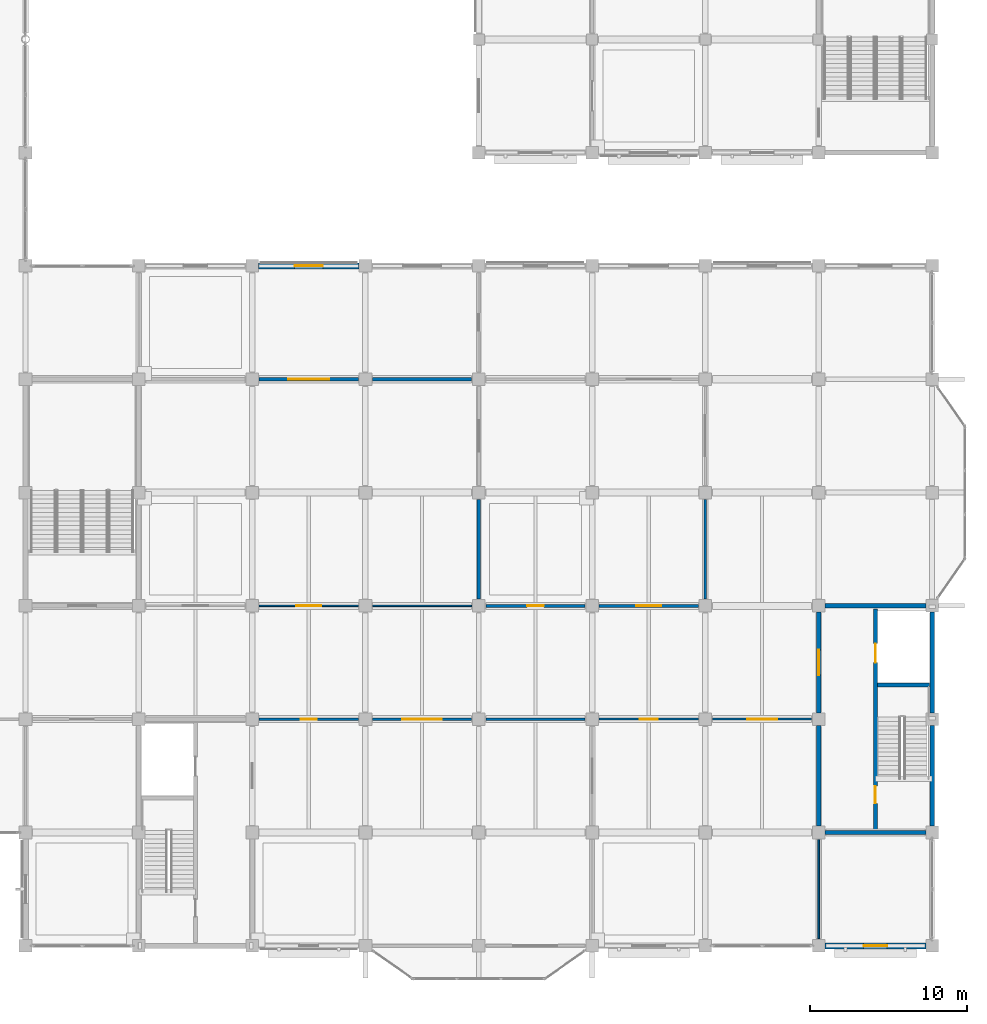
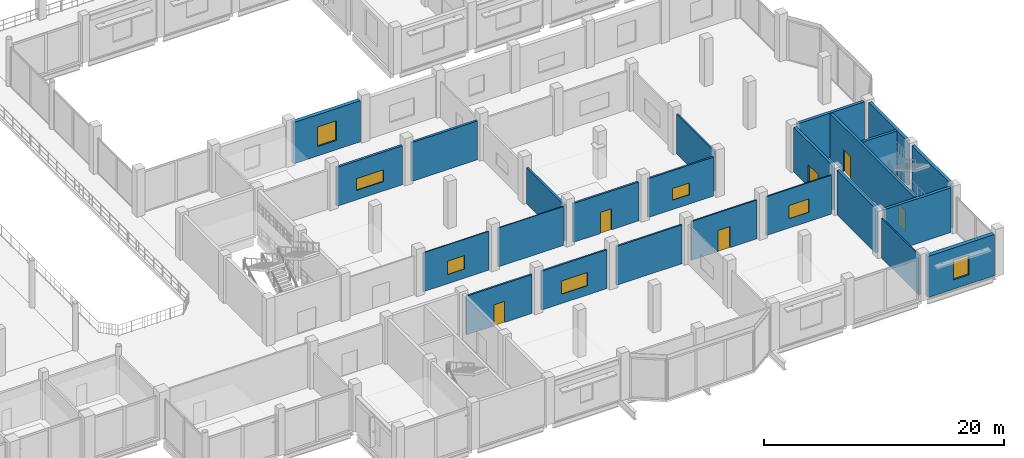
# One storey, part 69 of 99: 24 walls, 7 windows, 6 doors, 13 openings.
"""IFC4 building model written with IfcOpenShell, lengths in metres."""

from ifc_helpers import new_model, si_unit, direction, frame, frame_2d, origin, place, context, subcontext, project, spatial, rectangle, extrude, material, layer, layer_set, type_object, element, fill, save


model = new_model("IFC4")

# Units and contexts
model_context = context("Model", 3, precision=1e-05, world=origin(), true_north=direction((0.0, 1.0)))
body_context = subcontext(model_context, "Body", "Model", "MODEL_VIEW")
ifc_project = project(units=[si_unit("LENGTHUNIT", "METRE"), si_unit("AREAUNIT", "SQUARE_METRE"), si_unit("VOLUMEUNIT", "CUBIC_METRE"), si_unit("PLANEANGLEUNIT", "RADIAN"), si_unit("MASSUNIT", "GRAM", prefix="KILO")], contexts=[model_context])

# Site, building, storey
site_placement = place(None, origin())
site = spatial("IfcSite", under=ifc_project, at=site_placement, CompositionType="ELEMENT")
building_placement = place(site_placement, origin())
building = spatial("IfcBuilding", under=site, at=building_placement, Name="Vesperath Aquatics Centre", CompositionType="ELEMENT")
storey_placement = place(building_placement, frame((0.0, 0.0, 5.39990234375)))
storey = spatial("IfcBuildingStorey", under=building, at=storey_placement, Name="L01", CompositionType="ELEMENT", Elevation=5.39990234375)

# Wall, opening, window
ifc_material_1 = material(Name="Red-terracotta brick insulated cavity wall", Category="masonry")
ifc_layer_1 = layer(ifc_material_1, 0.3798828125)
ifc_layer_set_1 = layer_set([ifc_layer_1], Name="Red-terracotta brick insulated cavity wall")
wall_type_1 = type_object("IfcWallType", Name="WL-EW02", PredefinedType="SOLIDWALL", material=ifc_layer_set_1)
wall_1_placement = place(storey_placement, frame((166.0, 0.0, 0.0), z_axis=(0.0, 0.0, 1.0), x_axis=(1.0, 0.0, 0.0)))
wall_1 = element("IfcWall", 1, at=wall_1_placement, inside=storey, type_object=wall_type_1, Name="Exterior Wall EW02 L01_S_23_00", PredefinedType="SOLIDWALL", context=body_context, shape_type="SweptSolid", body=[
    extrude(rectangle(XDim=6.39990234375, YDim=0.3798828125, at=frame_2d((3.199951171875, 0.0))), origin(), (0.0, 0.0, 1.0), 4.190185546875),
])
opening_1_placement = place(wall_1_placement, frame((2.449951171875, 0.0, 0.949951171875)))
opening_1 = element("IfcOpeningElement", 2, at=opening_1_placement, cuts=wall_1, Name="Opening W08", PredefinedType="OPENING", context=body_context, shape_type="SweptSolid", body=[
    extrude(rectangle(XDim=1.5, YDim=2.0, at=frame_2d((0.75, 1.0))), frame((0.0, 0.204833984375, 0.0), z_axis=(0.0, -1.0, 0.0), x_axis=(1.0, 0.0, 0.0)), (0.0, 0.0, 1.0), 0.40966796875),
])
ifc_material_2 = material(Name="Thermally broken aluminium triple-glazed window", Category="aluminium")
window_type_1 = type_object("IfcWindowType", Name="WN-W08", PartitioningType="SINGLE_PANEL", PredefinedType="WINDOW", material=ifc_material_2)
window_1_placement = place(opening_1_placement, origin())
window_1 = element("IfcWindow", 3, at=window_1_placement, inside=storey, type_object=window_type_1, Name="Deep-Reveal Casement Window W08 L01_S_23_00", OverallHeight=2.0, OverallWidth=1.5, PartitioningType="SINGLE_PANEL", PredefinedType="WINDOW", context=body_context, shape_type="SweptSolid", body=[
    extrude(rectangle(XDim=1.5, YDim=2.0, at=frame_2d((0.75, 1.0))), frame((0.0, 0.030029296875, 0.0), z_axis=(0.0, -1.0, 0.0), x_axis=(1.0, 0.0, 0.0)), (0.0, 0.0, 1.0), 0.06005859375),
])
fill(opening_1, window_1)

ifc_material_3 = material(Name="Glazed majolica and brick insulated cavity wall", Category="masonry")
ifc_layer_2 = layer(ifc_material_3, 0.360107421875)
ifc_layer_set_2 = layer_set([ifc_layer_2], Name="Glazed majolica and brick insulated cavity wall")
wall_type_2 = type_object("IfcWallType", Name="WL-EW03", PredefinedType="SOLIDWALL", material=ifc_layer_set_2)
wall_2_placement = place(storey_placement, frame((130.0, 43.199951171875, 0.0), z_axis=(0.0, 0.0, 1.0), x_axis=(1.0, 0.0, 0.0)))
wall_2 = element("IfcWall", 4, at=wall_2_placement, inside=storey, type_object=wall_type_2, Name="Exterior Wall EW03 L01_N_18_06", PredefinedType="SOLIDWALL", context=body_context, shape_type="SweptSolid", body=[
    extrude(rectangle(XDim=6.39990234375, YDim=0.360107421875, at=frame_2d((3.199951171875, 0.0))), origin(), (0.0, 0.0, 1.0), 4.190185546875),
])
opening_2_placement = place(wall_2_placement, frame((2.300048828125, 0.0, 0.949951171875)))
opening_2 = element("IfcOpeningElement", 5, at=opening_2_placement, cuts=wall_2, Name="Opening W07", PredefinedType="OPENING", context=body_context, shape_type="SweptSolid", body=[
    extrude(rectangle(XDim=1.800048828125, YDim=2.0, at=frame_2d((0.89990234375, 1.0))), frame((0.0, 0.19482421875, 0.0), z_axis=(0.0, -1.0, 0.0), x_axis=(1.0, 0.0, 0.0)), (0.0, 0.0, 1.0), 0.389892578125),
])
window_type_2 = type_object("IfcWindowType", Name="WN-W07", PartitioningType="SINGLE_PANEL", PredefinedType="WINDOW", material=ifc_material_2)
window_2_placement = place(opening_2_placement, origin())
window_2 = element("IfcWindow", 6, at=window_2_placement, inside=storey, type_object=window_type_2, Name="Deep-Reveal Casement Window W07 L01_N_18_06", OverallHeight=2.0, OverallWidth=1.800048828125, PartitioningType="SINGLE_PANEL", PredefinedType="WINDOW", context=body_context, shape_type="SweptSolid", body=[
    extrude(rectangle(XDim=1.800048828125, YDim=2.0, at=frame_2d((0.89990234375, 1.0))), frame((0.0, 0.030029296875, 0.0), z_axis=(0.0, -1.0, 0.0), x_axis=(1.0, 0.0, 0.0)), (0.0, 0.0, 1.0), 0.06005859375),
])
fill(opening_2, window_2)

ifc_material_4 = material(Name="Autoclaved aerated masonry blockwork", Category="masonry")
ifc_layer_3 = layer(ifc_material_4, 0.22998046875)
ifc_layer_set_3 = layer_set([ifc_layer_3], Name="Autoclaved aerated masonry blockwork")
wall_type_3 = type_object("IfcWallType", Name="WL-FW01", PredefinedType="SOLIDWALL", material=ifc_layer_set_3)
wall_3_placement = place(storey_placement, frame((130.050048828125, 36.0, 0.0), z_axis=(0.0, 0.0, 1.0), x_axis=(1.0, 0.0, 0.0)))
wall_3 = element("IfcWall", 7, at=wall_3_placement, inside=storey, type_object=wall_type_3, Name="Interior Partition FW01 L01_TEACH_1-N2", PredefinedType="SOLIDWALL", context=body_context, shape_type="SweptSolid", body=[
    extrude(rectangle(XDim=6.300048828125, YDim=0.22998046875, at=frame_2d((3.14990234375, 0.0))), origin(), (0.0, 0.0, 1.0), 3.9521484375),
])
opening_3_placement = place(wall_3_placement, frame((1.85009765625, 0.0, 0.949951171875)))
opening_3 = element("IfcOpeningElement", 8, at=opening_3_placement, cuts=wall_3, Name="Opening VW10", PredefinedType="OPENING", context=body_context, shape_type="SweptSolid", body=[
    extrude(rectangle(XDim=2.60009765625, YDim=1.199951171875, at=frame_2d((1.300048828125, 0.60009765625))), frame((0.0, 0.1298828125, 0.0), z_axis=(0.0, -1.0, 0.0), x_axis=(1.0, 0.0, 0.0)), (0.0, 0.0, 1.0), 0.259765625),
])
ifc_material_5 = material(Name="Acoustic laminated interior viewing glazing", Category="glass")
window_type_3 = type_object("IfcWindowType", Name="WN-IW10", PartitioningType="SINGLE_PANEL", PredefinedType="WINDOW", material=ifc_material_5)
window_3_placement = place(opening_3_placement, origin())
window_3 = element("IfcWindow", 9, at=window_3_placement, inside=storey, type_object=window_type_3, Name="Interior Viewing Window VW10 L01_TEACH_1", OverallHeight=1.199951171875, OverallWidth=2.60009765625, PartitioningType="SINGLE_PANEL", PredefinedType="WINDOW", context=body_context, shape_type="SweptSolid", body=[
    extrude(rectangle(XDim=2.60009765625, YDim=1.199951171875, at=frame_2d((1.300048828125, 0.60009765625))), frame((0.0, 0.030029296875, 0.0), z_axis=(0.0, -1.0, 0.0), x_axis=(1.0, 0.0, 0.0)), (0.0, 0.0, 1.0), 0.06005859375),
])
fill(opening_3, window_3)

# Walls
ifc_material_6 = material(Name="Masonry fire compartment wall", Category="masonry")
ifc_layer_4 = layer(ifc_material_6, 0.219970703125)
ifc_layer_set_4 = layer_set([ifc_layer_4], Name="Masonry fire compartment wall")
wall_type_4 = type_object("IfcWallType", Name="WL-FW02", PredefinedType="SOLIDWALL", material=ifc_layer_set_4)
wall_4_placement = place(storey_placement, frame((137.25, 36.0, 0.0), z_axis=(0.0, 0.0, 1.0), x_axis=(1.0, 0.0, 0.0)))
element("IfcWall", 10, at=wall_4_placement, inside=storey, type_object=wall_type_4, Name="Interior Partition FW02 L01_TEACH_1-N3", PredefinedType="SOLIDWALL", context=body_context, shape_type="SweptSolid", body=[
    extrude(rectangle(XDim=6.300048828125, YDim=0.219970703125, at=frame_2d((3.14990234375, 0.0))), origin(), (0.0, 0.0, 1.0), 3.9521484375),
])
ifc_material_7 = material(Name="Wet-village masonry block wall", Category="masonry")
ifc_layer_5 = layer(ifc_material_7, 0.199951171875)
ifc_layer_set_5 = layer_set([ifc_layer_5], Name="Wet-village masonry block wall")
wall_type_5 = type_object("IfcWallType", Name="WL-FW03", PredefinedType="SOLIDWALL", material=ifc_layer_set_5)
wall_5_placement = place(storey_placement, frame((144.0, 22.050048828125, 0.0), z_axis=(0.0, 0.0, 1.0), x_axis=(0.0, 1.0, 0.0)))
element("IfcWall", 11, at=wall_5_placement, inside=storey, type_object=wall_type_5, Name="Interior Partition FW03 L01_TEACH_1-E1", PredefinedType="SOLIDWALL", context=body_context, shape_type="SweptSolid", body=[
    extrude(rectangle(XDim=6.300048828125, YDim=0.199951171875, at=frame_2d((3.14990234375, 0.0))), origin(), (0.0, 0.0, 1.0), 3.64013671875),
])

# Wall, opening, door
ifc_material_8 = material(Name="Double-stud acoustic studio partition", Category="gypsum")
ifc_layer_6 = layer(ifc_material_8, 0.18505859375)
ifc_layer_set_6 = layer_set([ifc_layer_6], Name="Double-stud acoustic studio partition")
wall_type_6 = type_object("IfcWallType", Name="WL-IW01", PredefinedType="PARTITIONING", material=ifc_layer_set_6)
wall_6_placement = place(storey_placement, frame((144.449951171875, 21.60009765625, 0.0), z_axis=(0.0, 0.0, 1.0), x_axis=(1.0, 0.0, 0.0)))
wall_6 = element("IfcWall", 12, at=wall_6_placement, inside=storey, type_object=wall_type_6, Name="Interior Partition IW01 L01_TEACH_2-S1", PredefinedType="PARTITIONING", context=body_context, shape_type="SweptSolid", body=[
    extrude(rectangle(XDim=6.300048828125, YDim=0.18505859375, at=frame_2d((3.14990234375, 0.0))), origin(), (0.0, 0.0, 1.0), 3.9521484375),
])
opening_4_placement = place(wall_6_placement, frame((2.6201171875, 0.0, 0.0)))
opening_4 = element("IfcOpeningElement", 13, at=opening_4_placement, cuts=wall_6, Name="Opening D22", PredefinedType="OPENING", context=body_context, shape_type="SweptSolid", body=[
    extrude(rectangle(XDim=1.06005859375, YDim=2.14990234375, at=frame_2d((0.530029296875, 1.074951171875))), frame((0.0, 0.107421875, 0.0), z_axis=(0.0, -1.0, 0.0), x_axis=(1.0, 0.0, 0.0)), (0.0, 0.0, 1.0), 0.21484375),
])
ifc_material_9 = material(Name="Physiotherapy treatment oak door", Category="wood")
door_type_1 = type_object("IfcDoorType", Name="DR-RM14", OperationType="NOTDEFINED", PredefinedType="DOOR", material=ifc_material_9)
door_1_placement = place(opening_4_placement, origin())
door_1 = element("IfcDoor", 14, at=door_1_placement, inside=storey, type_object=door_type_1, Name="Community Health Lecture Room Door D22", OperationType="SINGLE_SWING_RIGHT", OverallHeight=2.14990234375, OverallWidth=1.06005859375, PredefinedType="DOOR", context=body_context, shape_type="SweptSolid", body=[
    extrude(rectangle(XDim=1.06005859375, YDim=2.14990234375, at=frame_2d((0.530029296875, 1.074951171875))), frame((0.0, 0.02490234375, 0.0), z_axis=(0.0, -1.0, 0.0), x_axis=(1.0, 0.0, 0.0)), (0.0, 0.0, 1.0), 0.050048828125),
])
fill(opening_4, door_1)

# Wall, opening, window
ifc_material_10 = material(Name="Moisture-resistant tiled wet partition", Category="gypsum")
ifc_layer_7 = layer(ifc_material_10, 0.175048828125)
ifc_layer_set_7 = layer_set([ifc_layer_7], Name="Moisture-resistant tiled wet partition")
wall_type_7 = type_object("IfcWallType", Name="WL-IW02", PredefinedType="PARTITIONING", material=ifc_layer_set_7)
wall_7_placement = place(storey_placement, frame((151.64990234375, 21.60009765625, 0.0), z_axis=(0.0, 0.0, 1.0), x_axis=(1.0, 0.0, 0.0)))
wall_7 = element("IfcWall", 15, at=wall_7_placement, inside=storey, type_object=wall_type_7, Name="Interior Partition IW02 L01_TEACH_2-S2", PredefinedType="PARTITIONING", context=body_context, shape_type="SweptSolid", body=[
    extrude(rectangle(XDim=6.300048828125, YDim=0.175048828125, at=frame_2d((3.14990234375, 0.0))), origin(), (0.0, 0.0, 1.0), 3.9521484375),
])
opening_5_placement = place(wall_7_placement, frame((2.35009765625, 0.0, 0.949951171875)))
opening_5 = element("IfcOpeningElement", 16, at=opening_5_placement, cuts=wall_7, Name="Opening VW12", PredefinedType="OPENING", context=body_context, shape_type="SweptSolid", body=[
    extrude(rectangle(XDim=1.60009765625, YDim=1.199951171875, at=frame_2d((0.800048828125, 0.60009765625))), frame((0.0, 0.1025390625, 0.0), z_axis=(0.0, -1.0, 0.0), x_axis=(1.0, 0.0, 0.0)), (0.0, 0.0, 1.0), 0.204833984375),
])
window_type_4 = type_object("IfcWindowType", Name="WN-IW12", PartitioningType="SINGLE_PANEL", PredefinedType="WINDOW", material=ifc_material_5)
window_4_placement = place(opening_5_placement, origin())
window_4 = element("IfcWindow", 17, at=window_4_placement, inside=storey, type_object=window_type_4, Name="Interior Viewing Window VW12 L01_TEACH_2", OverallHeight=1.199951171875, OverallWidth=1.60009765625, PartitioningType="SINGLE_PANEL", PredefinedType="WINDOW", context=body_context, shape_type="SweptSolid", body=[
    extrude(rectangle(XDim=1.60009765625, YDim=1.199951171875, at=frame_2d((0.800048828125, 0.60009765625))), frame((0.0, 0.030029296875, 0.0), z_axis=(0.0, -1.0, 0.0), x_axis=(1.0, 0.0, 0.0)), (0.0, 0.0, 1.0), 0.06005859375),
])
fill(opening_5, window_4)

# Wall, opening, door
ifc_material_11 = material(Name="Corridor fire-rated gypsum partition", Category="gypsum")
ifc_layer_8 = layer(ifc_material_11, 0.16796875)
ifc_layer_set_8 = layer_set([ifc_layer_8], Name="Corridor fire-rated gypsum partition")
wall_type_8 = type_object("IfcWallType", Name="WL-IW03", PredefinedType="PARTITIONING", material=ifc_layer_set_8)
wall_8_placement = place(storey_placement, frame((130.050048828125, 14.39990234375, 0.0), z_axis=(0.0, 0.0, 1.0), x_axis=(1.0, 0.0, 0.0)))
wall_8 = element("IfcWall", 18, at=wall_8_placement, inside=storey, type_object=wall_type_8, Name="Interior Partition IW03 L01_PHYSIO_1-N1", PredefinedType="PARTITIONING", context=body_context, shape_type="SweptSolid", body=[
    extrude(rectangle(XDim=6.300048828125, YDim=0.16796875, at=frame_2d((3.14990234375, 0.0))), origin(), (0.0, 0.0, 1.0), 3.9521484375),
])
opening_6_placement = place(wall_8_placement, frame((2.639892578125, 0.0, 0.0)))
opening_6 = element("IfcOpeningElement", 19, at=opening_6_placement, cuts=wall_8, Name="Opening D19", PredefinedType="OPENING", context=body_context, shape_type="SweptSolid", body=[
    extrude(rectangle(XDim=1.02001953125, YDim=2.14990234375, at=frame_2d((0.510009765625, 1.074951171875))), frame((0.0, 0.098876953125, 0.0), z_axis=(0.0, -1.0, 0.0), x_axis=(1.0, 0.0, 0.0)), (0.0, 0.0, 1.0), 0.19775390625),
])
ifc_material_12 = material(Name="Fire command centre rated steel door", Category="steel")
door_type_2 = type_object("IfcDoorType", Name="DR-RM11", OperationType="NOTDEFINED", PredefinedType="DOOR", material=ifc_material_12)
door_2_placement = place(opening_6_placement, frame((1.02001953125, 0.0, 0.0), z_axis=(0.0, 0.0, 1.0), x_axis=(-1.0, 0.0, 0.0)))
door_2 = element("IfcDoor", 20, at=door_2_placement, inside=storey, type_object=door_type_2, Name="Sports Physiotherapy Treatment Clinic Door D19", OperationType="SINGLE_SWING_RIGHT", OverallHeight=2.14990234375, OverallWidth=1.02001953125, PredefinedType="DOOR", context=body_context, shape_type="SweptSolid", body=[
    extrude(rectangle(XDim=1.02001953125, YDim=2.14990234375, at=frame_2d((0.510009765625, 1.074951171875))), frame((0.0, 0.02490234375, 0.0), z_axis=(0.0, -1.0, 0.0), x_axis=(1.0, 0.0, 0.0)), (0.0, 0.0, 1.0), 0.050048828125),
])
fill(opening_6, door_2)

# Wall, opening, window
ifc_material_13 = material(Name="Clinic acoustic partition", Category="gypsum")
ifc_layer_9 = layer(ifc_material_13, 0.159912109375)
ifc_layer_set_9 = layer_set([ifc_layer_9], Name="Clinic acoustic partition")
wall_type_9 = type_object("IfcWallType", Name="WL-IW04", PredefinedType="PARTITIONING", material=ifc_layer_set_9)
wall_9_placement = place(storey_placement, frame((137.25, 14.39990234375, 0.0), z_axis=(0.0, 0.0, 1.0), x_axis=(1.0, 0.0, 0.0)))
wall_9 = element("IfcWall", 21, at=wall_9_placement, inside=storey, type_object=wall_type_9, Name="Interior Partition IW04 L01_PHYSIO_1-N2", PredefinedType="PARTITIONING", context=body_context, shape_type="SweptSolid", body=[
    extrude(rectangle(XDim=6.300048828125, YDim=0.159912109375, at=frame_2d((3.14990234375, 0.0))), origin(), (0.0, 0.0, 1.0), 3.9521484375),
])
opening_7_placement = place(wall_9_placement, frame((1.89990234375, 0.0, 0.949951171875)))
opening_7 = element("IfcOpeningElement", 22, at=opening_7_placement, cuts=wall_9, Name="Opening VW06", PredefinedType="OPENING", context=body_context, shape_type="SweptSolid", body=[
    extrude(rectangle(XDim=2.5, YDim=1.35009765625, at=frame_2d((1.25, 0.675048828125))), frame((0.0, 0.0947265625, 0.0), z_axis=(0.0, -1.0, 0.0), x_axis=(1.0, 0.0, 0.0)), (0.0, 0.0, 1.0), 0.189697265625),
])
window_type_5 = type_object("IfcWindowType", Name="WN-IW06", PartitioningType="SINGLE_PANEL", PredefinedType="WINDOW", material=ifc_material_5)
window_5_placement = place(opening_7_placement, origin())
window_5 = element("IfcWindow", 23, at=window_5_placement, inside=storey, type_object=window_type_5, Name="Interior Viewing Window VW06 L01_PHYSIO_1", OverallHeight=1.35009765625, OverallWidth=2.5, PartitioningType="SINGLE_PANEL", PredefinedType="WINDOW", context=body_context, shape_type="SweptSolid", body=[
    extrude(rectangle(XDim=2.5, YDim=1.35009765625, at=frame_2d((1.25, 0.675048828125))), frame((0.0, 0.030029296875, 0.0), z_axis=(0.0, -1.0, 0.0), x_axis=(1.0, 0.0, 0.0)), (0.0, 0.0, 1.0), 0.06005859375),
])
fill(opening_7, window_5)

# Walls
ifc_material_14 = material(Name="Laboratory clean partition", Category="gypsum")
ifc_layer_10 = layer(ifc_material_14, 0.152099609375)
ifc_layer_set_10 = layer_set([ifc_layer_10], Name="Laboratory clean partition")
wall_type_10 = type_object("IfcWallType", Name="WL-IW05", PredefinedType="PARTITIONING", material=ifc_layer_set_10)
wall_10_placement = place(storey_placement, frame((144.449951171875, 14.39990234375, 0.0), z_axis=(0.0, 0.0, 1.0), x_axis=(1.0, 0.0, 0.0)))
element("IfcWall", 24, at=wall_10_placement, inside=storey, type_object=wall_type_10, Name="Interior Partition IW05 L01_PHYSIO_1-N3", PredefinedType="PARTITIONING", context=body_context, shape_type="SweptSolid", body=[
    extrude(rectangle(XDim=6.300048828125, YDim=0.152099609375, at=frame_2d((3.14990234375, 0.0))), origin(), (0.0, 0.0, 1.0), 3.9521484375),
])
wall_11_placement = place(storey_placement, frame((158.39990234375, 22.050048828125, 0.0), z_axis=(0.0, 0.0, 1.0), x_axis=(0.0, 1.0, 0.0)))
element("IfcWall", 25, at=wall_11_placement, inside=storey, type_object=wall_type_10, Name="Interior Partition IW05 L01_TEACH_2-E1", PredefinedType="PARTITIONING", context=body_context, shape_type="SweptSolid", body=[
    extrude(rectangle(XDim=6.300048828125, YDim=0.152099609375, at=frame_2d((3.14990234375, 0.0))), origin(), (0.0, 0.0, 1.0), 4.052001953125),
])

# Wall, opening, door
ifc_material_15 = material(Name="Sanitary plumbing wall", Category="gypsum")
ifc_layer_11 = layer(ifc_material_15, 0.1298828125)
ifc_layer_set_11 = layer_set([ifc_layer_11], Name="Sanitary plumbing wall")
wall_type_11 = type_object("IfcWallType", Name="WL-IW08", PredefinedType="PARTITIONING", material=ifc_layer_set_11)
wall_12_placement = place(storey_placement, frame((151.64990234375, 14.39990234375, 0.0), z_axis=(0.0, 0.0, 1.0), x_axis=(1.0, 0.0, 0.0)))
wall_12 = element("IfcWall", 26, at=wall_12_placement, inside=storey, type_object=wall_type_11, Name="Interior Partition IW08 L01_PHYSIO_2-N1", PredefinedType="PARTITIONING", context=body_context, shape_type="SweptSolid", body=[
    extrude(rectangle(XDim=6.300048828125, YDim=0.1298828125, at=frame_2d((3.14990234375, 0.0))), origin(), (0.0, 0.0, 1.0), 3.9521484375),
])
opening_8_placement = place(wall_12_placement, frame((2.580078125, 0.0, 0.0)))
opening_8 = element("IfcOpeningElement", 27, at=opening_8_placement, cuts=wall_12, Name="Opening D20", PredefinedType="OPENING", context=body_context, shape_type="SweptSolid", body=[
    extrude(rectangle(XDim=1.139892578125, YDim=2.14990234375, at=frame_2d((0.56982421875, 1.074951171875))), frame((0.0, 0.079833984375, 0.0), z_axis=(0.0, -1.0, 0.0), x_axis=(1.0, 0.0, 0.0)), (0.0, 0.0, 1.0), 0.15966796875),
])
ifc_material_16 = material(Name="Kitchen service fire door", Category="steel")
door_type_3 = type_object("IfcDoorType", Name="DR-RM12", OperationType="NOTDEFINED", PredefinedType="DOOR", material=ifc_material_16)
door_3_placement = place(opening_8_placement, frame((1.139892578125, 0.0, 0.0), z_axis=(0.0, 0.0, 1.0), x_axis=(-1.0, 0.0, 0.0)))
door_3 = element("IfcDoor", 28, at=door_3_placement, inside=storey, type_object=door_type_3, Name="Orthopaedic Gait and Consultation Rooms Door D20", OperationType="SINGLE_SWING_LEFT", OverallHeight=2.14990234375, OverallWidth=1.139892578125, PredefinedType="DOOR", context=body_context, shape_type="SweptSolid", body=[
    extrude(rectangle(XDim=1.139892578125, YDim=2.14990234375, at=frame_2d((0.56982421875, 1.074951171875))), frame((0.0, 0.02490234375, 0.0), z_axis=(0.0, -1.0, 0.0), x_axis=(1.0, 0.0, 0.0)), (0.0, 0.0, 1.0), 0.050048828125),
])
fill(opening_8, door_3)

# Wall, opening, window
ifc_material_17 = material(Name="Office dry-lined partition", Category="gypsum")
ifc_layer_12 = layer(ifc_material_17, 0.1220703125)
ifc_layer_set_12 = layer_set([ifc_layer_12], Name="Office dry-lined partition")
wall_type_12 = type_object("IfcWallType", Name="WL-IW09", PredefinedType="PARTITIONING", material=ifc_layer_set_12)
wall_13_placement = place(storey_placement, frame((158.85009765625, 14.39990234375, 0.0), z_axis=(0.0, 0.0, 1.0), x_axis=(1.0, 0.0, 0.0)))
wall_13 = element("IfcWall", 29, at=wall_13_placement, inside=storey, type_object=wall_type_12, Name="Interior Partition IW09 L01_PHYSIO_2-N2", PredefinedType="PARTITIONING", context=body_context, shape_type="SweptSolid", body=[
    extrude(rectangle(XDim=6.2998046875, YDim=0.1220703125, at=frame_2d((3.14990234375, 0.0))), origin(), (0.0, 0.0, 1.0), 3.9521484375),
])
opening_9_placement = place(wall_13_placement, frame((2.199951171875, 0.0, 0.949951171875)))
opening_9 = element("IfcOpeningElement", 30, at=opening_9_placement, cuts=wall_13, Name="Opening VW08", PredefinedType="OPENING", context=body_context, shape_type="SweptSolid", body=[
    extrude(rectangle(XDim=1.89990234375, YDim=1.35009765625, at=frame_2d((0.949951171875, 0.675048828125))), frame((0.0, 0.075927734375, 0.0), z_axis=(0.0, -1.0, 0.0), x_axis=(1.0, 0.0, 0.0)), (0.0, 0.0, 1.0), 0.15185546875),
])
window_type_6 = type_object("IfcWindowType", Name="WN-IW08", PartitioningType="SINGLE_PANEL", PredefinedType="WINDOW", material=ifc_material_5)
window_6_placement = place(opening_9_placement, origin())
window_6 = element("IfcWindow", 31, at=window_6_placement, inside=storey, type_object=window_type_6, Name="Interior Viewing Window VW08 L01_PHYSIO_2", OverallHeight=1.35009765625, OverallWidth=1.89990234375, PartitioningType="SINGLE_PANEL", PredefinedType="WINDOW", context=body_context, shape_type="SweptSolid", body=[
    extrude(rectangle(XDim=1.89990234375, YDim=1.35009765625, at=frame_2d((0.949951171875, 0.675048828125))), frame((0.0, 0.030029296875, 0.0), z_axis=(0.0, -1.0, 0.0), x_axis=(1.0, 0.0, 0.0)), (0.0, 0.0, 1.0), 0.06005859375),
])
fill(opening_9, window_6)

# Wall
ifc_material_18 = material(Name="Store dry-lined partition", Category="gypsum")
ifc_layer_13 = layer(ifc_material_18, 0.114990234375)
ifc_layer_set_13 = layer_set([ifc_layer_13], Name="Store dry-lined partition")
wall_type_13 = type_object("IfcWallType", Name="WL-IW10", PredefinedType="PARTITIONING", material=ifc_layer_set_13)
wall_14_placement = place(storey_placement, frame((165.60009765625, 0.449951171875, 0.0), z_axis=(0.0, 0.0, 1.0), x_axis=(0.0, 1.0, 0.0)))
element("IfcWall", 32, at=wall_14_placement, inside=storey, type_object=wall_type_13, Name="Interior Partition IW10 L01_PHYSIO_2-E1", PredefinedType="PARTITIONING", context=body_context, shape_type="SweptSolid", body=[
    extrude(rectangle(XDim=6.300048828125, YDim=0.114990234375, at=frame_2d((3.14990234375, 0.0))), origin(), (0.0, 0.0, 1.0), 4.052001953125),
])

# Wall, opening, window
ifc_material_19 = material(Name="Light room sub-partition", Category="gypsum")
ifc_layer_14 = layer(ifc_material_19, 0.10009765625)
ifc_layer_set_14 = layer_set([ifc_layer_14], Name="Light room sub-partition")
wall_type_14 = type_object("IfcWallType", Name="WL-IW12", PredefinedType="PARTITIONING", material=ifc_layer_set_14)
wall_15_placement = place(storey_placement, frame((130.050048828125, 21.60009765625, 0.0), z_axis=(0.0, 0.0, 1.0), x_axis=(1.0, 0.0, 0.0)))
wall_15 = element("IfcWall", 33, at=wall_15_placement, inside=storey, type_object=wall_type_14, Name="Interior Partition IW12 L01_TEACH_1-S2", PredefinedType="PARTITIONING", context=body_context, shape_type="SweptSolid", body=[
    extrude(rectangle(XDim=6.300048828125, YDim=0.10009765625, at=frame_2d((3.14990234375, 0.0))), origin(), (0.0, 0.0, 1.0), 3.9521484375),
])
opening_10_placement = place(wall_15_placement, frame((2.35009765625, 0.0, 0.949951171875)))
opening_10 = element("IfcOpeningElement", 34, at=opening_10_placement, cuts=wall_15, Name="Opening VW09", PredefinedType="OPENING", context=body_context, shape_type="SweptSolid", body=[
    extrude(rectangle(XDim=1.60009765625, YDim=1.35009765625, at=frame_2d((0.800048828125, 0.675048828125))), frame((0.0, 0.06494140625, 0.0), z_axis=(0.0, -1.0, 0.0), x_axis=(1.0, 0.0, 0.0)), (0.0, 0.0, 1.0), 0.1298828125),
])
window_type_7 = type_object("IfcWindowType", Name="WN-IW09", PartitioningType="SINGLE_PANEL", PredefinedType="WINDOW", material=ifc_material_5)
window_7_placement = place(opening_10_placement, origin())
window_7 = element("IfcWindow", 35, at=window_7_placement, inside=storey, type_object=window_type_7, Name="Interior Viewing Window VW09 L01_TEACH_1", OverallHeight=1.35009765625, OverallWidth=1.60009765625, PartitioningType="SINGLE_PANEL", PredefinedType="WINDOW", context=body_context, shape_type="SweptSolid", body=[
    extrude(rectangle(XDim=1.60009765625, YDim=1.35009765625, at=frame_2d((0.800048828125, 0.675048828125))), frame((0.0, 0.030029296875, 0.0), z_axis=(0.0, -1.0, 0.0), x_axis=(1.0, 0.0, 0.0)), (0.0, 0.0, 1.0), 0.06005859375),
])
fill(opening_10, window_7)

# Walls
ifc_material_20 = material(Name="Poolside glazed screen partition", Category="gypsum")
ifc_layer_15 = layer(ifc_material_20, 0.094970703125)
ifc_layer_set_15 = layer_set([ifc_layer_15], Name="Poolside glazed screen partition")
wall_type_15 = type_object("IfcWallType", Name="WL-IW13", PredefinedType="PARTITIONING", material=ifc_layer_set_15)
wall_16_placement = place(storey_placement, frame((137.25, 21.60009765625, 0.0), z_axis=(0.0, 0.0, 1.0), x_axis=(1.0, 0.0, 0.0)))
element("IfcWall", 36, at=wall_16_placement, inside=storey, type_object=wall_type_15, Name="Interior Partition IW13 L01_TEACH_1-S3", PredefinedType="PARTITIONING", context=body_context, shape_type="SweptSolid", body=[
    extrude(rectangle(XDim=6.300048828125, YDim=0.094970703125, at=frame_2d((3.14990234375, 0.0))), origin(), (0.0, 0.0, 1.0), 3.9521484375),
])
ifc_material_21 = material(Name="Concrete C40", Category="concrete")
ifc_layer_16 = layer(ifc_material_21, 0.280029296875)
ifc_layer_set_16 = layer_set([ifc_layer_16], Name="Concrete C40")
wall_type_16 = type_object("IfcWallType", Name="WL-SW02", PredefinedType="SHEAR", material=ifc_layer_set_16)
for number, where, z_axis, x_axis, name in (
    (37, (166.0, 7.199951171875, 0.0), (0.0, 0.0, 1.0), (1.0, 0.0, 0.0), "Core C6 South Shear Wall SW02 L01"),
    (38, (166.0, 21.60009765625, 0.0), (0.0, 0.0, 1.0), (1.0, 0.0, 0.0), "Core C6 North Shear Wall SW02 L01"),
    (39, (165.60009765625, 7.60009765625, 0.0), (0.0, 0.0, 1.0), (0.0, 1.0, 0.0), "Core C6 West-1 Shear Wall SW02 L01"),
):
    element("IfcWall", number, at=place(storey_placement, frame(where, z_axis=z_axis, x_axis=x_axis)), inside=storey, type_object=wall_type_16, Name=name, PredefinedType="SHEAR", context=body_context, shape_type="SweptSolid", body=[
        extrude(rectangle(XDim=6.39990234375, YDim=0.280029296875, at=frame_2d((3.199951171875, 0.0))), origin(), (0.0, 0.0, 1.0), 4.5400390625),
    ])

# Wall, opening, door
wall_17_placement = place(storey_placement, frame((165.60009765625, 14.800048828125, 0.0), z_axis=(0.0, 0.0, 1.0), x_axis=(0.0, 1.0, 0.0)))
wall_17 = element("IfcWall", 40, at=wall_17_placement, inside=storey, type_object=wall_type_16, Name="Core C6 West-2 Shear Wall SW02 L01", PredefinedType="SHEAR", context=body_context, shape_type="SweptSolid", body=[
    extrude(rectangle(XDim=6.39990234375, YDim=0.280029296875, at=frame_2d((3.199951171875, 0.0))), origin(), (0.0, 0.0, 1.0), 4.5400390625),
])
opening_11_placement = place(wall_17_placement, frame((2.39990234375, 0.0, 0.0)))
opening_11 = element("IfcOpeningElement", 41, at=opening_11_placement, cuts=wall_17, Name="Opening D02", PredefinedType="OPENING", context=body_context, shape_type="SweptSolid", body=[
    extrude(rectangle(XDim=1.60009765625, YDim=2.199951171875, at=frame_2d((0.800048828125, 1.10009765625))), frame((0.0, 0.15478515625, 0.0), z_axis=(0.0, -1.0, 0.0), x_axis=(1.0, 0.0, 0.0)), (0.0, 0.0, 1.0), 0.309814453125),
])
ifc_material_22 = material(Name="Glazed fire-rated lobby double door", Category="steel")
door_type_4 = type_object("IfcDoorType", Name="DR-FD02", OperationType="DOUBLE_SWING_LEFT", PredefinedType="DOOR", material=ifc_material_22)
door_4_placement = place(opening_11_placement, origin())
door_4 = element("IfcDoor", 42, at=door_4_placement, inside=storey, type_object=door_type_4, Name="Core C6 Lobby Fire Door D02 L01", OperationType="DOUBLE_SWING_LEFT", OverallHeight=2.199951171875, OverallWidth=1.60009765625, PredefinedType="DOOR", context=body_context, shape_type="SweptSolid", body=[
    extrude(rectangle(XDim=1.60009765625, YDim=2.199951171875, at=frame_2d((0.800048828125, 1.10009765625))), frame((0.0, 0.02490234375, 0.0), z_axis=(0.0, -1.0, 0.0), x_axis=(1.0, 0.0, 0.0)), (0.0, 0.0, 1.0), 0.050048828125),
])
fill(opening_11, door_4)

# Wall, openings, doors
ifc_layer_17 = layer(ifc_material_21, 0.260009765625)
ifc_layer_set_17 = layer_set([ifc_layer_17], Name="Concrete C40")
wall_type_17 = type_object("IfcWallType", Name="WL-SW03", PredefinedType="SHEAR", material=ifc_layer_set_17)
wall_18_placement = place(storey_placement, frame((169.199951171875, 7.39990234375, 0.0), z_axis=(0.0, 0.0, 1.0), x_axis=(0.0, 1.0, 0.0)))
wall_18 = element("IfcWall", 43, at=wall_18_placement, inside=storey, type_object=wall_type_17, Name="Core C6 Spine Shear Wall SW03 L01", PredefinedType="SHEAR", context=body_context, shape_type="SweptSolid", body=[
    extrude(rectangle(XDim=14.0, YDim=0.260009765625, at=frame_2d((7.0, 0.0))), origin(), (0.0, 0.0, 1.0), 4.5400390625),
])
opening_12_placement = place(wall_18_placement, frame((1.64990234375, 0.0, 0.0)))
opening_12 = element("IfcOpeningElement", 44, at=opening_12_placement, cuts=wall_18, Name="Opening D01", PredefinedType="OPENING", context=body_context, shape_type="SweptSolid", body=[
    extrude(rectangle(XDim=1.10009765625, YDim=2.14990234375, at=frame_2d((0.550048828125, 1.074951171875))), frame((0.0, 0.14501953125, 0.0), z_axis=(0.0, -1.0, 0.0), x_axis=(1.0, 0.0, 0.0)), (0.0, 0.0, 1.0), 0.289794921875),
])
opening_13_placement = place(wall_18_placement, frame((10.60009765625, 0.0, 0.0)))
opening_13 = element("IfcOpeningElement", 45, at=opening_13_placement, cuts=wall_18, Name="Opening LD03", PredefinedType="OPENING", context=body_context, shape_type="SweptSolid", body=[
    extrude(rectangle(XDim=1.199951171875, YDim=2.25, at=frame_2d((0.60009765625, 1.125))), frame((0.0, 0.14501953125, 0.0), z_axis=(0.0, -1.0, 0.0), x_axis=(1.0, 0.0, 0.0)), (0.0, 0.0, 1.0), 0.289794921875),
])
ifc_material_23 = material(Name="Steel-faced acoustic fire door", Category="steel")
door_type_5 = type_object("IfcDoorType", Name="DR-FD01", OperationType="NOTDEFINED", PredefinedType="DOOR", material=ifc_material_23)
door_5_placement = place(opening_12_placement, frame((1.10009765625, 0.0, 0.0), z_axis=(0.0, 0.0, 1.0), x_axis=(-1.0, 0.0, 0.0)))
door_5 = element("IfcDoor", 46, at=door_5_placement, inside=storey, type_object=door_type_5, Name="Stair ST6 Fire Door D01 L01", OperationType="SINGLE_SWING_LEFT", OverallHeight=2.14990234375, OverallWidth=1.10009765625, PredefinedType="DOOR", context=body_context, shape_type="SweptSolid", body=[
    extrude(rectangle(XDim=1.10009765625, YDim=2.14990234375, at=frame_2d((0.550048828125, 1.074951171875))), frame((0.0, 0.02490234375, 0.0), z_axis=(0.0, -1.0, 0.0), x_axis=(1.0, 0.0, 0.0)), (0.0, 0.0, 1.0), 0.050048828125),
])
fill(opening_12, door_5)
ifc_material_24 = material(Name="Firefighting stainless lift landing door", Category="steel")
door_type_6 = type_object("IfcDoorType", Name="DR-LD03", OperationType="SLIDING_TO_LEFT", PredefinedType="DOOR", material=ifc_material_24)
door_6_placement = place(opening_13_placement, origin())
door_6 = element("IfcDoor", 47, at=door_6_placement, inside=storey, type_object=door_type_6, Name="Lift LFT-FF2 Sliding Landing Door LD03 L01", OperationType="SLIDING_TO_LEFT", OverallHeight=2.25, OverallWidth=1.199951171875, PredefinedType="DOOR", context=body_context, shape_type="SweptSolid", body=[
    extrude(rectangle(XDim=1.199951171875, YDim=2.25, at=frame_2d((0.60009765625, 1.125))), frame((0.0, 0.02490234375, 0.0), z_axis=(0.0, -1.0, 0.0), x_axis=(1.0, 0.0, 0.0)), (0.0, 0.0, 1.0), 0.050048828125),
])
fill(opening_13, door_6)

# Walls
ifc_layer_18 = layer(ifc_material_21, 0.25)
ifc_layer_set_18 = layer_set([ifc_layer_18], Name="Concrete C40")
wall_type_18 = type_object("IfcWallType", Name="WL-SW04", PredefinedType="SHEAR", material=ifc_layer_set_18)
wall_19_placement = place(storey_placement, frame((169.340087890625, 16.580078125, 0.0), z_axis=(0.0, 0.0, 1.0), x_axis=(1.0, 0.0, 0.0)))
element("IfcWall", 48, at=wall_19_placement, inside=storey, type_object=wall_type_18, Name="Core C6 Lift Shaft Wall SW04 L01", PredefinedType="SHEAR", context=body_context, shape_type="SweptSolid", body=[
    extrude(rectangle(XDim=3.2998046875, YDim=0.25, at=frame_2d((1.64990234375, 0.0))), origin(), (0.0, 0.0, 1.0), 4.5400390625),
])
ifc_layer_19 = layer(ifc_material_21, 0.2900390625)
ifc_layer_set_19 = layer_set([ifc_layer_19], Name="Concrete C40")
wall_type_19 = type_object("IfcWallType", Name="WL-SW06", PredefinedType="SHEAR", material=ifc_layer_set_19)
for number, where, z_axis, x_axis, name in (
    (49, (172.800048828125, 7.60009765625, 0.0), (0.0, 0.0, 1.0), (0.0, 1.0, 0.0), "Core C6 East-1 Shear Wall SW06 L01"),
    (50, (172.800048828125, 14.800048828125, 0.0), (0.0, 0.0, 1.0), (0.0, 1.0, 0.0), "Core C6 East-2 Shear Wall SW06 L01"),
):
    element("IfcWall", number, at=place(storey_placement, frame(where, z_axis=z_axis, x_axis=x_axis)), inside=storey, type_object=wall_type_19, Name=name, PredefinedType="SHEAR", context=body_context, shape_type="SweptSolid", body=[
        extrude(rectangle(XDim=6.39990234375, YDim=0.2900390625, at=frame_2d((3.199951171875, 0.0))), origin(), (0.0, 0.0, 1.0), 4.5400390625),
    ])

save(model, "model.ifc")
